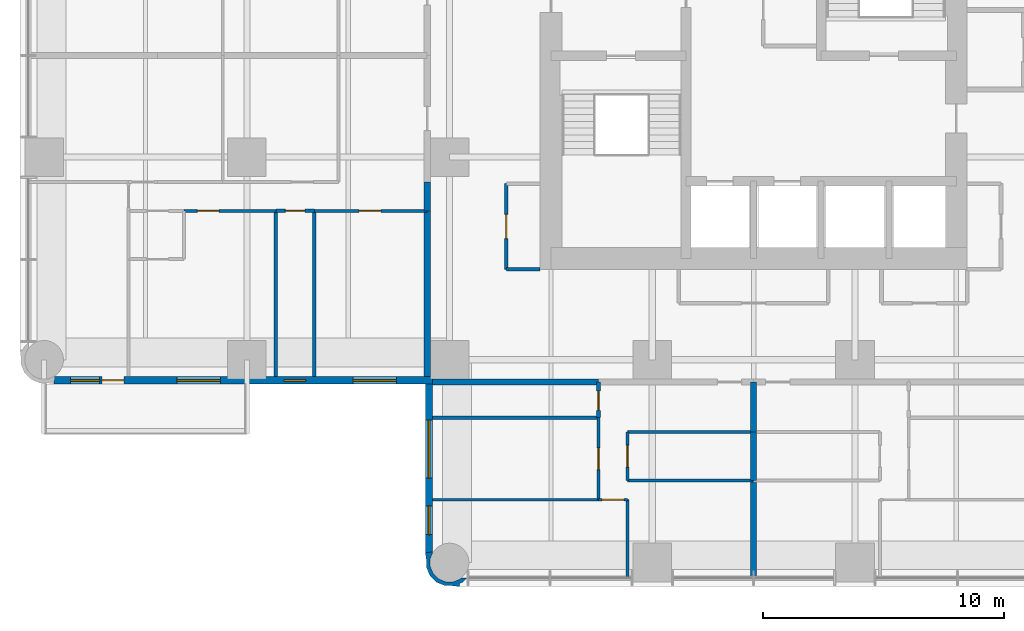
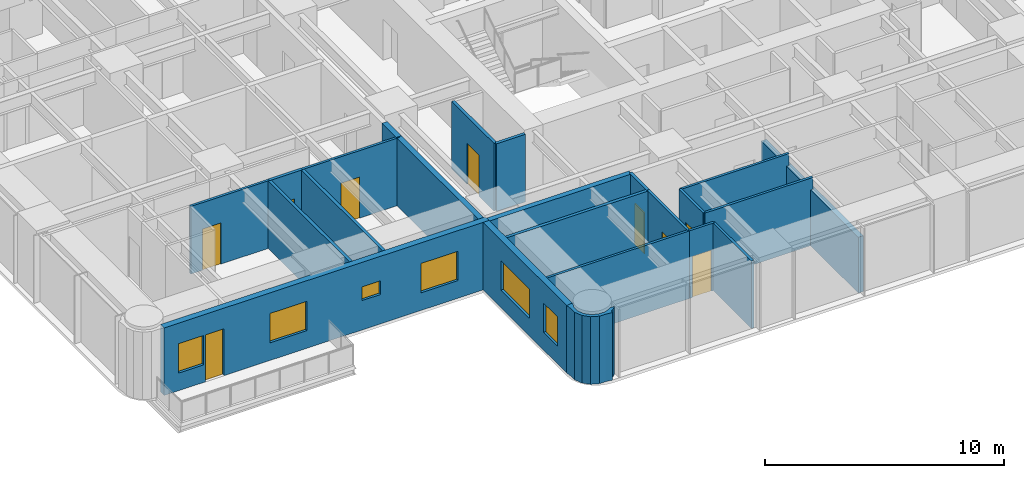
# One storey, part 6 of 15: 25 walls, 9 doors, 6 windows, 15 openings.
"""IFC4 building model written with IfcOpenShell, lengths in metres."""

from ifc_helpers import new_model, si_unit, direction, frame, frame_2d, origin, place, context, subcontext, project, spatial, polyline, rectangle, outline, extrude, material, layer, layer_set, type_object, element, fill, save


model = new_model("IFC4")

# Units and contexts
model_context = context("Model", 3, precision=1e-05, world=origin(), true_north=direction((0.0, 1.0)))
body_context = subcontext(model_context, "Body", "Model", "MODEL_VIEW")
ifc_project = project(units=[si_unit("LENGTHUNIT", "METRE"), si_unit("AREAUNIT", "SQUARE_METRE"), si_unit("VOLUMEUNIT", "CUBIC_METRE"), si_unit("PLANEANGLEUNIT", "RADIAN"), si_unit("MASSUNIT", "GRAM", prefix="KILO")], contexts=[model_context])

# Site, building, storey
site_placement = place(None, origin())
site = spatial("IfcSite", under=ifc_project, at=site_placement, CompositionType="ELEMENT")
building_placement = place(site_placement, origin())
building = spatial("IfcBuilding", under=site, at=building_placement, Name="Torre Alcanfor", CompositionType="ELEMENT")
storey_placement = place(building_placement, frame((0.0, 0.0, 144.89990234375)))
storey = spatial("IfcBuildingStorey", under=building, at=storey_placement, Name="L37", CompositionType="ELEMENT", Elevation=144.89990234375)

# Walls
ifc_material_1 = material(Name="Concrete block masonry, hollow blocks NMX-C-404 9 MPa", Category="masonry")
ifc_layer_1 = layer(ifc_material_1, 0.25)
ifc_layer_set_1 = layer_set([ifc_layer_1], Name="Apartment entrance wall 250 EI 60")
wall_type_1 = type_object("IfcWallType", Name="Apartment entrance wall 250 EI 60", PredefinedType="PARTITIONING", material=ifc_layer_set_1)
wall_1_placement = place(storey_placement, frame((22.970947265625, 15.875, 0.0), z_axis=(0.0, 0.0, 1.0), x_axis=(-1.0, 0.0, 0.0)))
element("IfcWall", 1, at=wall_1_placement, inside=storey, type_object=wall_type_1, Name="Partition L37-CORR / L37-S2-BATH", PredefinedType="PARTITIONING", context=body_context, shape_type="SweptSolid", body=[
    extrude(rectangle(XDim=6.870849609375, YDim=0.25, at=frame_2d((3.435546875, 0.0))), origin(), (0.0, 0.0, 1.0), 3.4501953125),
])
wall_2_placement = place(storey_placement, frame((15.875, 22.970947265625, 0.0), z_axis=(0.0, 0.0, 1.0), x_axis=(0.0, 1.0, 0.0)))
element("IfcWall", 2, at=wall_2_placement, inside=storey, type_object=wall_type_1, Name="Partition L37-CORR / L37-W1-HALL", PredefinedType="PARTITIONING", context=body_context, shape_type="SweptSolid", body=[
    extrude(rectangle(XDim=1.199951171875, YDim=0.25, at=frame_2d((0.60009765625, 0.0))), origin(), (0.0, 0.0, 1.0), 3.4501953125),
])
wall_3_placement = place(storey_placement, frame((15.875, 16.10009765625, 0.0), z_axis=(0.0, 0.0, 1.0), x_axis=(0.0, 1.0, 0.0)))
element("IfcWall", 3, at=wall_3_placement, inside=storey, type_object=wall_type_1, Name="Partition L37-CORR / L37-W1-BED2", PredefinedType="PARTITIONING", context=body_context, shape_type="SweptSolid", body=[
    extrude(rectangle(XDim=6.870849609375, YDim=0.25, at=frame_2d((3.435546875, 0.0))), origin(), (0.0, 0.0, 1.0), 3.4501953125),
])
ifc_material_2 = material(Name="Gypsum board on steel studs", Category="steel")
ifc_layer_2 = layer(ifc_material_2, 0.1201171875)
ifc_layer_set_2 = layer_set([ifc_layer_2], Name="Apartment partition 120")
wall_type_2 = type_object("IfcWallType", Name="Apartment partition 120", PredefinedType="PARTITIONING", material=ifc_layer_set_2)
wall_4_placement = place(storey_placement, frame((29.39990234375, 11.800048828125, 0.0), z_axis=(0.0, 0.0, 1.0), x_axis=(-1.0, 0.0, 0.0)))
element("IfcWall", 4, at=wall_4_placement, inside=storey, type_object=wall_type_2, Name="Partition L37-S2-KITCHEN / L37-S2-LIVING", PredefinedType="PARTITIONING", context=body_context, shape_type="SweptSolid", body=[
    extrude(rectangle(XDim=5.22900390625, YDim=0.1201171875, at=frame_2d((2.614501953125, 0.0))), origin(), (0.0, 0.0, 1.0), 3.4501953125),
])

# Wall, opening, door
wall_5_placement = place(storey_placement, frame((24.1708984375, 11.800048828125, 0.0), z_axis=(0.0, 0.0, 1.0), x_axis=(0.0, 1.0, 0.0)))
wall_5 = element("IfcWall", 5, at=wall_5_placement, inside=storey, type_object=wall_type_2, Name="Partition L37-S2-KITCHEN / L37-S2-LIVING", PredefinedType="PARTITIONING", context=body_context, shape_type="SweptSolid", body=[
    extrude(rectangle(XDim=2.0, YDim=0.1201171875, at=frame_2d((1.0, 0.0))), origin(), (0.0, 0.0, 1.0), 3.4501953125),
])
opening_1_placement = place(wall_5_placement, frame((0.550048828125, 0.0, 0.0)))
opening_1 = element("IfcOpeningElement", 6, at=opening_1_placement, cuts=wall_5, Name="Opening D-R1", PredefinedType="OPENING", context=body_context, shape_type="SweptSolid", body=[
    extrude(rectangle(XDim=0.89990234375, YDim=2.10009765625, at=frame_2d((0.449951171875, 1.050048828125))), frame((0.0, 0.070068359375, 0.0), z_axis=(0.0, -1.0, 0.0), x_axis=(1.0, 0.0, 0.0)), (0.0, 0.0, 1.0), 0.14013671875),
])
ifc_material_3 = material(Name="Timber", Category="wood")
door_type_1 = type_object("IfcDoorType", Name="Internal door 900x2100", OperationType="SINGLE_SWING_LEFT", PredefinedType="DOOR", material=ifc_material_3)
door_1_placement = place(opening_1_placement, frame((0.89990234375, 0.0, 0.0), z_axis=(0.0, 0.0, 1.0), x_axis=(-1.0, 0.0, 0.0)))
door_1 = element("IfcDoor", 7, at=door_1_placement, inside=storey, type_object=door_type_1, Name="Door L37-S2 kitchen", OperationType="SINGLE_SWING_RIGHT", OverallHeight=2.10009765625, OverallWidth=0.89990234375, PredefinedType="DOOR", context=body_context, shape_type="SweptSolid", body=[
    extrude(rectangle(XDim=0.89990234375, YDim=2.10009765625, at=frame_2d((0.449951171875, 1.050048828125))), frame((0.0, 0.025146484375, 0.0), z_axis=(0.0, -1.0, 0.0), x_axis=(1.0, 0.0, 0.0)), (0.0, 0.0, 1.0), 0.050048828125),
])
fill(opening_1, door_1)

# Wall
wall_6_placement = place(storey_placement, frame((24.1708984375, 13.800048828125, 0.0), z_axis=(0.0, 0.0, 1.0), x_axis=(1.0, 0.0, 0.0)))
element("IfcWall", 8, at=wall_6_placement, inside=storey, type_object=wall_type_2, Name="Partition L37-S2-KITCHEN / L37-S2-LIVING", PredefinedType="PARTITIONING", context=body_context, shape_type="SweptSolid", body=[
    extrude(rectangle(XDim=5.22900390625, YDim=0.1201171875, at=frame_2d((2.614501953125, 0.0))), origin(), (0.0, 0.0, 1.0), 3.4501953125),
])

# Wall, opening, door
wall_7_placement = place(storey_placement, frame((22.970947265625, 11.0, 0.0), z_axis=(0.0, 0.0, 1.0), x_axis=(0.0, 1.0, 0.0)))
wall_7 = element("IfcWall", 9, at=wall_7_placement, inside=storey, type_object=wall_type_2, Name="Partition L37-S2-LIVING / L37-S2-STUDY", PredefinedType="PARTITIONING", context=body_context, shape_type="SweptSolid", body=[
    extrude(rectangle(XDim=3.39990234375, YDim=0.1201171875, at=frame_2d((1.699951171875, 0.0))), origin(), (0.0, 0.0, 1.0), 3.4501953125),
])
opening_2_placement = place(wall_7_placement, frame((1.25, 0.0, 0.0)))
opening_2 = element("IfcOpeningElement", 10, at=opening_2_placement, cuts=wall_7, Name="Opening D-R1", PredefinedType="OPENING", context=body_context, shape_type="SweptSolid", body=[
    extrude(rectangle(XDim=0.89990234375, YDim=2.10009765625, at=frame_2d((0.449951171875, 1.050048828125))), frame((0.0, 0.070068359375, 0.0), z_axis=(0.0, -1.0, 0.0), x_axis=(1.0, 0.0, 0.0)), (0.0, 0.0, 1.0), 0.14013671875),
])
door_2_placement = place(opening_2_placement, origin())
door_2 = element("IfcDoor", 11, at=door_2_placement, inside=storey, type_object=door_type_1, Name="Door L37-S2 study", OperationType="SINGLE_SWING_LEFT", OverallHeight=2.10009765625, OverallWidth=0.89990234375, PredefinedType="DOOR", context=body_context, shape_type="SweptSolid", body=[
    extrude(rectangle(XDim=0.89990234375, YDim=2.10009765625, at=frame_2d((0.449951171875, 1.050048828125))), frame((0.0, 0.02490234375, 0.0), z_axis=(0.0, -1.0, 0.0), x_axis=(1.0, 0.0, 0.0)), (0.0, 0.0, 1.0), 0.050048828125),
])
fill(opening_2, door_2)

# Wall
wall_8_placement = place(storey_placement, frame((24.1708984375, 7.75, 0.0), z_axis=(0.0, 0.0, 1.0), x_axis=(0.0, 1.0, 0.0)))
element("IfcWall", 12, at=wall_8_placement, inside=storey, type_object=wall_type_2, Name="Partition L37-S2-LIVING / L37-S2-MASTER", PredefinedType="PARTITIONING", context=body_context, shape_type="SweptSolid", body=[
    extrude(rectangle(XDim=3.25, YDim=0.1201171875, at=frame_2d((1.625, 0.0))), origin(), (0.0, 0.0, 1.0), 3.4501953125),
])

# Wall, opening, door
wall_9_placement = place(storey_placement, frame((24.1708984375, 11.0, 0.0), z_axis=(0.0, 0.0, 1.0), x_axis=(-1.0, 0.0, 0.0)))
wall_9 = element("IfcWall", 13, at=wall_9_placement, inside=storey, type_object=wall_type_2, Name="Partition L37-S2-LIVING / L37-S2-MASTER", PredefinedType="PARTITIONING", context=body_context, shape_type="SweptSolid", body=[
    extrude(rectangle(XDim=1.199951171875, YDim=0.1201171875, at=frame_2d((0.60009765625, 0.0))), origin(), (0.0, 0.0, 1.0), 3.4501953125),
])
opening_3_placement = place(wall_9_placement, frame((0.15087890625, 0.0, 0.0)))
opening_3 = element("IfcOpeningElement", 14, at=opening_3_placement, cuts=wall_9, Name="Opening D-R1", PredefinedType="OPENING", context=body_context, shape_type="SweptSolid", body=[
    extrude(rectangle(XDim=0.89990234375, YDim=2.10009765625, at=frame_2d((0.449951171875, 1.050048828125))), frame((0.0, 0.070068359375, 0.0), z_axis=(0.0, -1.0, 0.0), x_axis=(1.0, 0.0, 0.0)), (0.0, 0.0, 1.0), 0.14013671875),
])
door_3_placement = place(opening_3_placement, origin())
door_3 = element("IfcDoor", 15, at=door_3_placement, inside=storey, type_object=door_type_1, Name="Door L37-S2 master", OperationType="SINGLE_SWING_LEFT", OverallHeight=2.10009765625, OverallWidth=0.89990234375, PredefinedType="DOOR", context=body_context, shape_type="SweptSolid", body=[
    extrude(rectangle(XDim=0.89990234375, YDim=2.10009765625, at=frame_2d((0.449951171875, 1.050048828125))), frame((0.0, 0.02490234375, 0.0), z_axis=(0.0, -1.0, 0.0), x_axis=(1.0, 0.0, 0.0)), (0.0, 0.0, 1.0), 0.050048828125),
])
fill(opening_3, door_3)

# Wall
wall_10_placement = place(storey_placement, frame((22.970947265625, 11.0, 0.0), z_axis=(0.0, 0.0, 1.0), x_axis=(-1.0, 0.0, 0.0)))
element("IfcWall", 16, at=wall_10_placement, inside=storey, type_object=wall_type_2, Name="Partition L37-S2-STUDY / L37-S2-MASTER", PredefinedType="PARTITIONING", context=body_context, shape_type="SweptSolid", body=[
    extrude(rectangle(XDim=6.870849609375, YDim=0.1201171875, at=frame_2d((3.435546875, 0.0))), origin(), (0.0, 0.0, 1.0), 3.4501953125),
])

# Wall, opening, door
wall_11_placement = place(storey_placement, frame((11.199951171875, 22.970947265625, 0.0), z_axis=(0.0, 0.0, 1.0), x_axis=(1.0, 0.0, 0.0)))
wall_11 = element("IfcWall", 17, at=wall_11_placement, inside=storey, type_object=wall_type_2, Name="Partition L37-W1-HALL / L37-W1-BED2", PredefinedType="PARTITIONING", context=body_context, shape_type="SweptSolid", body=[
    extrude(rectangle(XDim=4.675048828125, YDim=0.1201171875, at=frame_2d((2.33740234375, 0.0))), origin(), (0.0, 0.0, 1.0), 3.4501953125),
])
opening_4_placement = place(wall_11_placement, frame((1.85009765625, 0.0, 0.0)))
opening_4 = element("IfcOpeningElement", 18, at=opening_4_placement, cuts=wall_11, Name="Opening D-R1", PredefinedType="OPENING", context=body_context, shape_type="SweptSolid", body=[
    extrude(rectangle(XDim=0.89990234375, YDim=2.10009765625, at=frame_2d((0.449951171875, 1.050048828125))), frame((0.0, 0.070068359375, 0.0), z_axis=(0.0, -1.0, 0.0), x_axis=(1.0, 0.0, 0.0)), (0.0, 0.0, 1.0), 0.14013671875),
])
door_4_placement = place(opening_4_placement, frame((0.89990234375, 0.0, 0.0), z_axis=(0.0, 0.0, 1.0), x_axis=(-1.0, 0.0, 0.0)))
door_4 = element("IfcDoor", 19, at=door_4_placement, inside=storey, type_object=door_type_1, Name="Door L37-W1 bed2", OperationType="SINGLE_SWING_RIGHT", OverallHeight=2.10009765625, OverallWidth=0.89990234375, PredefinedType="DOOR", context=body_context, shape_type="SweptSolid", body=[
    extrude(rectangle(XDim=0.89990234375, YDim=2.10009765625, at=frame_2d((0.449951171875, 1.050048828125))), frame((0.0, 0.025146484375, 0.0), z_axis=(0.0, -1.0, 0.0), x_axis=(1.0, 0.0, 0.0)), (0.0, 0.0, 1.0), 0.050048828125),
])
fill(opening_4, door_4)

wall_12_placement = place(storey_placement, frame((5.800048828125, 22.970947265625, 0.0), z_axis=(0.0, 0.0, 1.0), x_axis=(1.0, 0.0, 0.0)))
wall_12 = element("IfcWall", 20, at=wall_12_placement, inside=storey, type_object=wall_type_2, Name="Partition L37-W1-HALL / L37-W1-MASTER", PredefinedType="PARTITIONING", context=body_context, shape_type="SweptSolid", body=[
    extrude(rectangle(XDim=3.800048828125, YDim=0.1201171875, at=frame_2d((1.89990234375, 0.0))), origin(), (0.0, 0.0, 1.0), 3.4501953125),
])
opening_5_placement = place(wall_12_placement, frame((0.550048828125, 0.0, 0.0)))
opening_5 = element("IfcOpeningElement", 21, at=opening_5_placement, cuts=wall_12, Name="Opening D-R1", PredefinedType="OPENING", context=body_context, shape_type="SweptSolid", body=[
    extrude(rectangle(XDim=0.89990234375, YDim=2.10009765625, at=frame_2d((0.449951171875, 1.050048828125))), frame((0.0, 0.070068359375, 0.0), z_axis=(0.0, -1.0, 0.0), x_axis=(1.0, 0.0, 0.0)), (0.0, 0.0, 1.0), 0.14013671875),
])
door_5_placement = place(opening_5_placement, frame((0.89990234375, 0.0, 0.0), z_axis=(0.0, 0.0, 1.0), x_axis=(-1.0, 0.0, 0.0)))
door_5 = element("IfcDoor", 22, at=door_5_placement, inside=storey, type_object=door_type_1, Name="Door L37-W1 master", OperationType="SINGLE_SWING_RIGHT", OverallHeight=2.10009765625, OverallWidth=0.89990234375, PredefinedType="DOOR", context=body_context, shape_type="SweptSolid", body=[
    extrude(rectangle(XDim=0.89990234375, YDim=2.10009765625, at=frame_2d((0.449951171875, 1.050048828125))), frame((0.0, 0.025146484375, 0.0), z_axis=(0.0, -1.0, 0.0), x_axis=(1.0, 0.0, 0.0)), (0.0, 0.0, 1.0), 0.050048828125),
])
fill(opening_5, door_5)

# Wall, openings, door, windows
ifc_material_4 = material(Name="Limestone cladding", Category="masonry")
ifc_layer_3 = layer(ifc_material_4, 0.0400390625, Name="Facing")
ifc_material_5 = material(Name="Ventilated air cavity")
ifc_layer_4 = layer(ifc_material_5, 0.02001953125, ventilated=True, Name="Ventilated joint")
ifc_material_6 = material(Name="Mineral wool insulation", Category="insulation")
ifc_layer_5 = layer(ifc_material_6, 0.10009765625, Name="Insulation")
ifc_material_7 = material(Name="Concrete f'c 35 MPa", Category="concrete")
ifc_layer_6 = layer(ifc_material_7, 0.139892578125, Name="Backing")
ifc_layer_set_3 = layer_set([ifc_layer_3, ifc_layer_4, ifc_layer_5, ifc_layer_6], Name="External wall stone-clad 300")
wall_type_3 = type_object("IfcWallType", Name="External wall stone-clad 300", PredefinedType="SOLIDWALL", material=ifc_layer_set_3)
wall_13_placement = place(storey_placement, frame((0.39990234375, 15.949951171875, 0.0), z_axis=(0.0, 0.0, 1.0), x_axis=(1.0, 0.0, 0.0)))
wall_13 = element("IfcWall", 23, at=wall_13_placement, inside=storey, type_object=wall_type_3, Name="External wall L37 3", PredefinedType="SOLIDWALL", context=body_context, shape_type="SweptSolid", body=[
    extrude(rectangle(XDim=15.7001953125, YDim=0.300048828125, at=frame_2d((7.85009765625, 0.0))), origin(), (0.0, 0.0, 1.0), 3.4501953125),
])
opening_6_placement = place(wall_13_placement, frame((12.39990234375, 0.0, 0.89990234375)))
opening_6 = element("IfcOpeningElement", 24, at=opening_6_placement, cuts=wall_13, Name="Opening W2", PredefinedType="OPENING", context=body_context, shape_type="SweptSolid", body=[
    extrude(rectangle(XDim=1.800048828125, YDim=1.5, at=frame_2d((0.89990234375, 0.75))), frame((0.0, 0.159912109375, 0.0), z_axis=(0.0, -1.0, 0.0), x_axis=(1.0, 0.0, 0.0)), (0.0, 0.0, 1.0), 0.320068359375),
])
opening_7_placement = place(wall_13_placement, frame((9.550048828125, 0.0, 1.5)))
opening_7 = element("IfcOpeningElement", 25, at=opening_7_placement, cuts=wall_13, Name="Opening W3", PredefinedType="OPENING", context=body_context, shape_type="SweptSolid", body=[
    extrude(rectangle(XDim=0.89990234375, YDim=0.699951171875, at=frame_2d((0.449951171875, 0.35009765625))), frame((0.0, 0.159912109375, 0.0), z_axis=(0.0, -1.0, 0.0), x_axis=(1.0, 0.0, 0.0)), (0.0, 0.0, 1.0), 0.320068359375),
])
opening_8_placement = place(wall_13_placement, frame((5.10009765625, 0.0, 0.89990234375)))
opening_8 = element("IfcOpeningElement", 26, at=opening_8_placement, cuts=wall_13, Name="Opening W2", PredefinedType="OPENING", context=body_context, shape_type="SweptSolid", body=[
    extrude(rectangle(XDim=1.800048828125, YDim=1.5, at=frame_2d((0.89990234375, 0.75))), frame((0.0, 0.159912109375, 0.0), z_axis=(0.0, -1.0, 0.0), x_axis=(1.0, 0.0, 0.0)), (0.0, 0.0, 1.0), 0.320068359375),
])
opening_9_placement = place(wall_13_placement, frame((2.0, 0.0, 0.0)))
opening_9 = element("IfcOpeningElement", 27, at=opening_9_placement, cuts=wall_13, Name="Opening D-B1", PredefinedType="OPENING", context=body_context, shape_type="SweptSolid", body=[
    extrude(rectangle(XDim=0.89990234375, YDim=2.39990234375, at=frame_2d((0.449951171875, 1.199951171875))), frame((0.0, 0.159912109375, 0.0), z_axis=(0.0, -1.0, 0.0), x_axis=(1.0, 0.0, 0.0)), (0.0, 0.0, 1.0), 0.320068359375),
])
opening_10_placement = place(wall_13_placement, frame((0.699951171875, 0.0, 0.89990234375)))
opening_10 = element("IfcOpeningElement", 28, at=opening_10_placement, cuts=wall_13, Name="Opening W4", PredefinedType="OPENING", context=body_context, shape_type="SweptSolid", body=[
    extrude(rectangle(XDim=1.199951171875, YDim=1.5, at=frame_2d((0.60009765625, 0.75))), frame((0.0, 0.159912109375, 0.0), z_axis=(0.0, -1.0, 0.0), x_axis=(1.0, 0.0, 0.0)), (0.0, 0.0, 1.0), 0.320068359375),
])
ifc_material_8 = material(Name="Aluminium and glass", Category="aluminium")
door_type_2 = type_object("IfcDoorType", Name="Balcony door glazed 900x2400", OperationType="SINGLE_SWING_LEFT", PredefinedType="DOOR", material=ifc_material_8)
door_6_placement = place(opening_9_placement, origin())
door_6 = element("IfcDoor", 29, at=door_6_placement, inside=storey, type_object=door_type_2, Name="Balcony door L37-W1", OperationType="SINGLE_SWING_RIGHT", OverallHeight=2.39990234375, OverallWidth=0.89990234375, PredefinedType="DOOR", context=body_context, shape_type="SweptSolid", body=[
    extrude(rectangle(XDim=0.89990234375, YDim=2.39990234375, at=frame_2d((0.449951171875, 1.199951171875))), frame((0.0, 0.02490234375, 0.0), z_axis=(0.0, -1.0, 0.0), x_axis=(1.0, 0.0, 0.0)), (0.0, 0.0, 1.0), 0.050048828125),
])
fill(opening_9, door_6)
ifc_material_9 = material(Name="Aluminium frame with clear double glazing", Category="aluminium")
window_type_1 = type_object("IfcWindowType", Name="Window bathroom 900x700", PartitioningType="SINGLE_PANEL", PredefinedType="WINDOW", material=ifc_material_9)
window_1_placement = place(opening_7_placement, origin())
window_1 = element("IfcWindow", 30, at=window_1_placement, inside=storey, type_object=window_type_1, Name="Window W3 L37-W1", OverallHeight=0.699951171875, OverallWidth=0.89990234375, PartitioningType="SINGLE_PANEL", PredefinedType="WINDOW", context=body_context, shape_type="SweptSolid", body=[
    extrude(rectangle(XDim=0.89990234375, YDim=0.699951171875, at=frame_2d((0.449951171875, 0.35009765625))), frame((0.0, 0.030029296875, 0.0), z_axis=(0.0, -1.0, 0.0), x_axis=(1.0, 0.0, 0.0)), (0.0, 0.0, 1.0), 0.06005859375),
])
fill(opening_7, window_1)
ifc_material_10 = material(Name="Aluminium frame with clear double glazing", Category="aluminium")
window_type_2 = type_object("IfcWindowType", Name="Window bedroom 1200x1500", PartitioningType="SINGLE_PANEL", PredefinedType="WINDOW", material=ifc_material_10)
window_2_placement = place(opening_10_placement, origin())
window_2 = element("IfcWindow", 31, at=window_2_placement, inside=storey, type_object=window_type_2, Name="Window W4 L37-W1", OverallHeight=1.5, OverallWidth=1.199951171875, PartitioningType="SINGLE_PANEL", PredefinedType="WINDOW", context=body_context, shape_type="SweptSolid", body=[
    extrude(rectangle(XDim=1.199951171875, YDim=1.5, at=frame_2d((0.60009765625, 0.75))), frame((0.0, 0.030029296875, 0.0), z_axis=(0.0, -1.0, 0.0), x_axis=(1.0, 0.0, 0.0)), (0.0, 0.0, 1.0), 0.06005859375),
])
fill(opening_10, window_2)
ifc_material_11 = material(Name="Aluminium frame with clear double glazing", Category="aluminium")
window_type_3 = type_object("IfcWindowType", Name="Window bedroom 1800x1500", PartitioningType="SINGLE_PANEL", PredefinedType="WINDOW", material=ifc_material_11)
window_3_placement = place(opening_6_placement, origin())
window_3 = element("IfcWindow", 32, at=window_3_placement, inside=storey, type_object=window_type_3, Name="Window W2 L37-W1", OverallHeight=1.5, OverallWidth=1.800048828125, PartitioningType="SINGLE_PANEL", PredefinedType="WINDOW", context=body_context, shape_type="SweptSolid", body=[
    extrude(rectangle(XDim=1.800048828125, YDim=1.5, at=frame_2d((0.89990234375, 0.75))), frame((0.0, 0.030029296875, 0.0), z_axis=(0.0, -1.0, 0.0), x_axis=(1.0, 0.0, 0.0)), (0.0, 0.0, 1.0), 0.06005859375),
])
fill(opening_6, window_3)
window_4_placement = place(opening_8_placement, origin())
window_4 = element("IfcWindow", 33, at=window_4_placement, inside=storey, type_object=window_type_3, Name="Window W2 L37-W1", OverallHeight=1.5, OverallWidth=1.800048828125, PartitioningType="SINGLE_PANEL", PredefinedType="WINDOW", context=body_context, shape_type="SweptSolid", body=[
    extrude(rectangle(XDim=1.800048828125, YDim=1.5, at=frame_2d((0.89990234375, 0.75))), frame((0.0, 0.030029296875, 0.0), z_axis=(0.0, -1.0, 0.0), x_axis=(1.0, 0.0, 0.0)), (0.0, 0.0, 1.0), 0.06005859375),
])
fill(opening_8, window_4)

# Wall, openings, windows
wall_14_placement = place(storey_placement, frame((15.949951171875, 15.800048828125, 0.0), z_axis=(0.0, 0.0, 1.0), x_axis=(0.0, -1.0, 0.0)))
wall_14 = element("IfcWall", 34, at=wall_14_placement, inside=storey, type_object=wall_type_3, Name="External wall L37 4", PredefinedType="SOLIDWALL", context=body_context, shape_type="SweptSolid", body=[
    extrude(rectangle(XDim=7.0, YDim=0.300048828125, at=frame_2d((3.5, 0.0))), origin(), (0.0, 0.0, 1.0), 3.4501953125),
])
opening_11_placement = place(wall_14_placement, frame((1.5, 0.0, 0.89990234375)))
opening_11 = element("IfcOpeningElement", 35, at=opening_11_placement, cuts=wall_14, Name="Opening W1", PredefinedType="OPENING", context=body_context, shape_type="SweptSolid", body=[
    extrude(rectangle(XDim=2.39990234375, YDim=1.5, at=frame_2d((1.199951171875, 0.75))), frame((0.0, 0.159912109375, 0.0), z_axis=(0.0, -1.0, 0.0), x_axis=(1.0, 0.0, 0.0)), (0.0, 0.0, 1.0), 0.320068359375),
])
opening_12_placement = place(wall_14_placement, frame((5.050048828125, 0.0, 0.89990234375)))
opening_12 = element("IfcOpeningElement", 36, at=opening_12_placement, cuts=wall_14, Name="Opening W4", PredefinedType="OPENING", context=body_context, shape_type="SweptSolid", body=[
    extrude(rectangle(XDim=1.199951171875, YDim=1.5, at=frame_2d((0.60009765625, 0.75))), frame((0.0, 0.159912109375, 0.0), z_axis=(0.0, -1.0, 0.0), x_axis=(1.0, 0.0, 0.0)), (0.0, 0.0, 1.0), 0.320068359375),
])
window_5_placement = place(opening_12_placement, origin())
window_5 = element("IfcWindow", 37, at=window_5_placement, inside=storey, type_object=window_type_2, Name="Window W4 L37-S2", OverallHeight=1.5, OverallWidth=1.199951171875, PartitioningType="SINGLE_PANEL", PredefinedType="WINDOW", context=body_context, shape_type="SweptSolid", body=[
    extrude(rectangle(XDim=1.199951171875, YDim=1.5, at=frame_2d((0.60009765625, 0.75))), frame((0.0, 0.030029296875, 0.0), z_axis=(0.0, -1.0, 0.0), x_axis=(1.0, 0.0, 0.0)), (0.0, 0.0, 1.0), 0.06005859375),
])
fill(opening_12, window_5)
ifc_material_12 = material(Name="Aluminium frame with clear double glazing", Category="aluminium")
window_type_4 = type_object("IfcWindowType", Name="Window bedroom 2400x1500", PartitioningType="SINGLE_PANEL", PredefinedType="WINDOW", material=ifc_material_12)
window_6_placement = place(opening_11_placement, origin())
window_6 = element("IfcWindow", 38, at=window_6_placement, inside=storey, type_object=window_type_4, Name="Window W1 L37-S2", OverallHeight=1.5, OverallWidth=2.39990234375, PartitioningType="SINGLE_PANEL", PredefinedType="WINDOW", context=body_context, shape_type="SweptSolid", body=[
    extrude(rectangle(XDim=2.39990234375, YDim=1.5, at=frame_2d((1.199951171875, 0.75))), frame((0.0, 0.030029296875, 0.0), z_axis=(0.0, -1.0, 0.0), x_axis=(1.0, 0.0, 0.0)), (0.0, 0.0, 1.0), 0.06005859375),
])
fill(opening_11, window_6)

# Walls
ifc_material_13 = material(Name="Concrete block masonry, hollow blocks NMX-C-404 9 MPa", Category="masonry")
ifc_layer_7 = layer(ifc_material_13, 0.25)
ifc_layer_set_4 = layer_set([ifc_layer_7], Name="Party wall 250 EI 60")
wall_type_4 = type_object("IfcWallType", Name="Party wall 250 EI 60", PredefinedType="PARTITIONING", material=ifc_layer_set_4)
wall_15_placement = place(storey_placement, frame((29.39990234375, 13.800048828125, 0.0), z_axis=(0.0, 0.0, 1.0), x_axis=(0.0, -1.0, 0.0)))
element("IfcWall", 39, at=wall_15_placement, inside=storey, type_object=wall_type_4, Name="Partition L37-S1-KITCHEN / L37-S2-KITCHEN", PredefinedType="PARTITIONING", context=body_context, shape_type="SweptSolid", body=[
    extrude(rectangle(XDim=2.0, YDim=0.25, at=frame_2d((1.0, 0.0))), origin(), (0.0, 0.0, 1.0), 2.84814453125),
])
wall_16_placement = place(storey_placement, frame((29.39990234375, 7.75, 0.0), z_axis=(0.0, 0.0, 1.0), x_axis=(0.0, 1.0, 0.0)))
element("IfcWall", 40, at=wall_16_placement, inside=storey, type_object=wall_type_4, Name="Partition L37-S1-LIVING / L37-S2-LIVING", PredefinedType="PARTITIONING", context=body_context, shape_type="SweptSolid", body=[
    extrude(rectangle(XDim=4.050048828125, YDim=0.25, at=frame_2d((2.02490234375, 0.0))), origin(), (0.0, 0.0, 1.0), 2.84814453125),
])
wall_17_placement = place(storey_placement, frame((29.39990234375, 13.800048828125, 0.0), z_axis=(0.0, 0.0, 1.0), x_axis=(0.0, 1.0, 0.0)))
element("IfcWall", 41, at=wall_17_placement, inside=storey, type_object=wall_type_4, Name="Partition L37-S1-LIVING / L37-S2-LIVING", PredefinedType="PARTITIONING", context=body_context, shape_type="SweptSolid", body=[
    extrude(rectangle(XDim=2.074951171875, YDim=0.25, at=frame_2d((1.03759765625, 0.0))), origin(), (0.0, 0.0, 1.0), 2.84814453125),
])

# Wall, opening, door
ifc_material_14 = material(Name="Concrete block masonry, hollow blocks NMX-C-404 9 MPa", Category="masonry")
ifc_layer_8 = layer(ifc_material_14, 0.14990234375)
ifc_layer_set_5 = layer_set([ifc_layer_8], Name="Residents' room partition 150")
wall_type_5 = type_object("IfcWallType", Name="Residents' room partition 150", PredefinedType="PARTITIONING", material=ifc_layer_set_5)
wall_18_placement = place(storey_placement, frame((19.14990234375, 24.10009765625, 0.0), z_axis=(0.0, 0.0, 1.0), x_axis=(0.0, -1.0, 0.0)))
wall_18 = element("IfcWall", 42, at=wall_18_placement, inside=storey, type_object=wall_type_5, Name="Partition L37-CORR / L37-G07", PredefinedType="PARTITIONING", context=body_context, shape_type="SweptSolid", body=[
    extrude(rectangle(XDim=3.550048828125, YDim=0.14990234375, at=frame_2d((1.77490234375, 0.0))), origin(), (0.0, 0.0, 1.0), 3.4501953125),
])
opening_13_placement = place(wall_18_placement, frame((1.27490234375, 0.0, 0.0)))
opening_13 = element("IfcOpeningElement", 43, at=opening_13_placement, cuts=wall_18, Name="Opening D-M1", PredefinedType="OPENING", context=body_context, shape_type="SweptSolid", body=[
    extrude(rectangle(XDim=1.0, YDim=2.10009765625, at=frame_2d((0.5, 1.050048828125))), frame((0.0, 0.0849609375, 0.0), z_axis=(0.0, -1.0, 0.0), x_axis=(1.0, 0.0, 0.0)), (0.0, 0.0, 1.0), 0.169921875),
])
ifc_material_15 = material(Name="Timber", Category="wood")
door_type_3 = type_object("IfcDoorType", Name="Residents' room door 1000x2100", OperationType="SINGLE_SWING_LEFT", PredefinedType="DOOR", material=ifc_material_15)
door_7_placement = place(opening_13_placement, origin())
door_7 = element("IfcDoor", 44, at=door_7_placement, inside=storey, type_object=door_type_3, Name="Door L37-G07 pram and buggy store", OperationType="SINGLE_SWING_LEFT", OverallHeight=2.10009765625, OverallWidth=1.0, PredefinedType="DOOR", context=body_context, shape_type="SweptSolid", body=[
    extrude(rectangle(XDim=1.0, YDim=2.10009765625, at=frame_2d((0.5, 1.050048828125))), frame((0.0, 0.02490234375, 0.0), z_axis=(0.0, -1.0, 0.0), x_axis=(1.0, 0.0, 0.0)), (0.0, 0.0, 1.0), 0.050048828125),
])
fill(opening_13, door_7)

# Walls
wall_19_placement = place(storey_placement, frame((19.14990234375, 20.550048828125, 0.0), z_axis=(0.0, 0.0, 1.0), x_axis=(1.0, 0.0, 0.0)))
element("IfcWall", 45, at=wall_19_placement, inside=storey, type_object=wall_type_5, Name="Partition L37-CORR / L37-G07", PredefinedType="PARTITIONING", context=body_context, shape_type="SweptSolid", body=[
    extrude(rectangle(XDim=1.400146484375, YDim=0.14990234375, at=frame_2d((0.7001953125, 0.0))), origin(), (0.0, 0.0, 1.0), 3.4501953125),
])
ifc_layer_9 = layer(ifc_material_4, 0.0400390625, Name="Facing")
ifc_layer_10 = layer(ifc_material_5, 0.02001953125, ventilated=True, Name="Ventilated joint")
ifc_layer_11 = layer(ifc_material_6, 0.10009765625, Name="Insulation")
ifc_layer_12 = layer(ifc_material_7, 0.139892578125, Name="Backing")
ifc_layer_set_6 = layer_set([ifc_layer_9, ifc_layer_10, ifc_layer_11, ifc_layer_12], Name="Rounded corner pier stone-clad 300")
wall_type_6 = type_object("IfcWallType", Name="Rounded corner pier stone-clad 300", PredefinedType="SOLIDWALL", material=ifc_layer_set_6)
wall_20_placement = place(storey_placement, frame((15.982940512, 8.726823795, 0.0), z_axis=(0.0, 0.0, 1.0), x_axis=(-0.343276641956, -0.93923434088, 0.0)))
element("IfcWall", 46, at=wall_20_placement, inside=storey, type_object=wall_type_6, Name="Corner pier L37 15", PredefinedType="SOLIDWALL", context=body_context, shape_type="SweptSolid", body=[
    extrude(outline(polyline([(0.8285188621172053, 1.5985593448955209), (0.6965961152022397, 1.5690588556644411), (0.6041961706613557, 1.669674810951586), (0.3940973255728224, 1.767303623446145), (0.47128428534856764, 1.55611347990365), (0.5085447362659081, 1.5387992791780876), (0.7240402358503313, 1.3040772160031127), (0.8334093808094493, 1.0048338530031606), (0.8200582319080854, 0.6864716314609828), (0.6857640531711582, 0.3974683020769049), (0.4510419899961833, 0.18197280249248177), (0.15179862699623123, 0.07260365753336384), (-0.11622928371084919, 0.08407628105020303), (-0.1273371975026375, 0.0781969477675098), (-0.14614022874094865, 0.07132471030647711), (-0.0059930226407584886, -0.19691459363495123), (0.26574754989690047, -0.054967852634112954), (0.535410534485363, 0.043590089489965705), (0.8166395849446566, 0.30181686768145743), (0.9775598034528271, 0.6481198820896807), (0.9938114202888776, 1.0296668379252687), (0.8951696703908839, 1.299559127772735), (0.8285188621172053, 1.5985593448955209)])), origin(), (0.0, 0.0, 1.0), 3.4501953125),
])

# Wall, opening, door
ifc_material_16 = material(Name="Cement board on steel studs", Category="steel")
ifc_layer_13 = layer(ifc_material_16, 0.14990234375)
ifc_layer_set_7 = layer_set([ifc_layer_13], Name="Wet area partition 150")
wall_type_7 = type_object("IfcWallType", Name="Wet area partition 150", PredefinedType="PARTITIONING", material=ifc_layer_set_7)
wall_21_placement = place(storey_placement, frame((22.970947265625, 14.39990234375, 0.0), z_axis=(0.0, 0.0, 1.0), x_axis=(0.0, 1.0, 0.0)))
wall_21 = element("IfcWall", 47, at=wall_21_placement, inside=storey, type_object=wall_type_7, Name="Partition L37-S2-LIVING / L37-S2-BATH", PredefinedType="PARTITIONING", context=body_context, shape_type="SweptSolid", body=[
    extrude(rectangle(XDim=1.47509765625, YDim=0.14990234375, at=frame_2d((0.737548828125, 0.0))), origin(), (0.0, 0.0, 1.0), 3.4501953125),
])
opening_14_placement = place(wall_21_placement, frame((0.300048828125, 0.0, 0.0)))
opening_14 = element("IfcOpeningElement", 48, at=opening_14_placement, cuts=wall_21, Name="Opening D-R2", PredefinedType="OPENING", context=body_context, shape_type="SweptSolid", body=[
    extrude(rectangle(XDim=0.800048828125, YDim=2.10009765625, at=frame_2d((0.39990234375, 1.050048828125))), frame((0.0, 0.0849609375, 0.0), z_axis=(0.0, -1.0, 0.0), x_axis=(1.0, 0.0, 0.0)), (0.0, 0.0, 1.0), 0.169921875),
])
ifc_material_17 = material(Name="Timber", Category="wood")
door_type_4 = type_object("IfcDoorType", Name="Bathroom door 800x2100", OperationType="SINGLE_SWING_LEFT", PredefinedType="DOOR", material=ifc_material_17)
door_8_placement = place(opening_14_placement, origin())
door_8 = element("IfcDoor", 49, at=door_8_placement, inside=storey, type_object=door_type_4, Name="Door L37-S2 bath", OperationType="SINGLE_SWING_LEFT", OverallHeight=2.10009765625, OverallWidth=0.800048828125, PredefinedType="DOOR", context=body_context, shape_type="SweptSolid", body=[
    extrude(rectangle(XDim=0.800048828125, YDim=2.10009765625, at=frame_2d((0.39990234375, 1.050048828125))), frame((0.0, 0.02490234375, 0.0), z_axis=(0.0, -1.0, 0.0), x_axis=(1.0, 0.0, 0.0)), (0.0, 0.0, 1.0), 0.050048828125),
])
fill(opening_14, door_8)

# Wall
wall_22_placement = place(storey_placement, frame((22.970947265625, 14.39990234375, 0.0), z_axis=(0.0, 0.0, 1.0), x_axis=(-1.0, 0.0, 0.0)))
element("IfcWall", 50, at=wall_22_placement, inside=storey, type_object=wall_type_7, Name="Partition L37-S2-BATH / L37-S2-STUDY", PredefinedType="PARTITIONING", context=body_context, shape_type="SweptSolid", body=[
    extrude(rectangle(XDim=6.870849609375, YDim=0.14990234375, at=frame_2d((3.435546875, 0.0))), origin(), (0.0, 0.0, 1.0), 3.4501953125),
])

# Wall, opening, door
wall_23_placement = place(storey_placement, frame((9.60009765625, 22.970947265625, 0.0), z_axis=(0.0, 0.0, 1.0), x_axis=(1.0, 0.0, 0.0)))
wall_23 = element("IfcWall", 51, at=wall_23_placement, inside=storey, type_object=wall_type_7, Name="Partition L37-W1-HALL / L37-W1-BATH1", PredefinedType="PARTITIONING", context=body_context, shape_type="SweptSolid", body=[
    extrude(rectangle(XDim=1.599853515625, YDim=0.14990234375, at=frame_2d((0.7998046875, 0.0))), origin(), (0.0, 0.0, 1.0), 3.4501953125),
])
opening_15_placement = place(wall_23_placement, frame((0.39990234375, 0.0, 0.0)))
opening_15 = element("IfcOpeningElement", 52, at=opening_15_placement, cuts=wall_23, Name="Opening D-R2", PredefinedType="OPENING", context=body_context, shape_type="SweptSolid", body=[
    extrude(rectangle(XDim=0.800048828125, YDim=2.10009765625, at=frame_2d((0.39990234375, 1.050048828125))), frame((0.0, 0.0849609375, 0.0), z_axis=(0.0, -1.0, 0.0), x_axis=(1.0, 0.0, 0.0)), (0.0, 0.0, 1.0), 0.169921875),
])
door_9_placement = place(opening_15_placement, frame((0.800048828125, 0.0, 0.0), z_axis=(0.0, 0.0, 1.0), x_axis=(-1.0, 0.0, 0.0)))
door_9 = element("IfcDoor", 53, at=door_9_placement, inside=storey, type_object=door_type_4, Name="Door L37-W1 bath1", OperationType="SINGLE_SWING_RIGHT", OverallHeight=2.10009765625, OverallWidth=0.800048828125, PredefinedType="DOOR", context=body_context, shape_type="SweptSolid", body=[
    extrude(rectangle(XDim=0.800048828125, YDim=2.10009765625, at=frame_2d((0.400146484375, 1.050048828125))), frame((0.0, 0.025146484375, 0.0), z_axis=(0.0, -1.0, 0.0), x_axis=(1.0, 0.0, 0.0)), (0.0, 0.0, 1.0), 0.050048828125),
])
fill(opening_15, door_9)

# Walls
for number, where, z_axis, x_axis, name in (
    (54, (11.199951171875, 22.970947265625, 0.0), (0.0, 0.0, 1.0), (0.0, -1.0, 0.0), "Partition L37-W1-BED2 / L37-W1-BATH1"),
    (55, (9.60009765625, 22.970947265625, 0.0), (0.0, 0.0, 1.0), (0.0, -1.0, 0.0), "Partition L37-W1-BATH1 / L37-W1-MASTER"),
):
    element("IfcWall", number, at=place(storey_placement, frame(where, z_axis=z_axis, x_axis=x_axis)), inside=storey, type_object=wall_type_7, Name=name, PredefinedType="PARTITIONING", context=body_context, shape_type="SweptSolid", body=[
        extrude(rectangle(XDim=6.870849609375, YDim=0.14990234375, at=frame_2d((3.435546875, 0.0))), origin(), (0.0, 0.0, 1.0), 3.4501953125),
    ])

save(model, "model.ifc")
